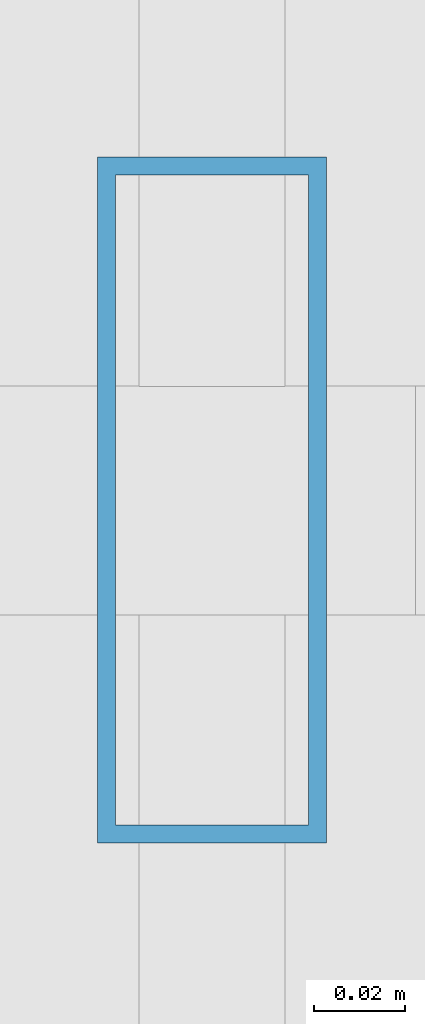
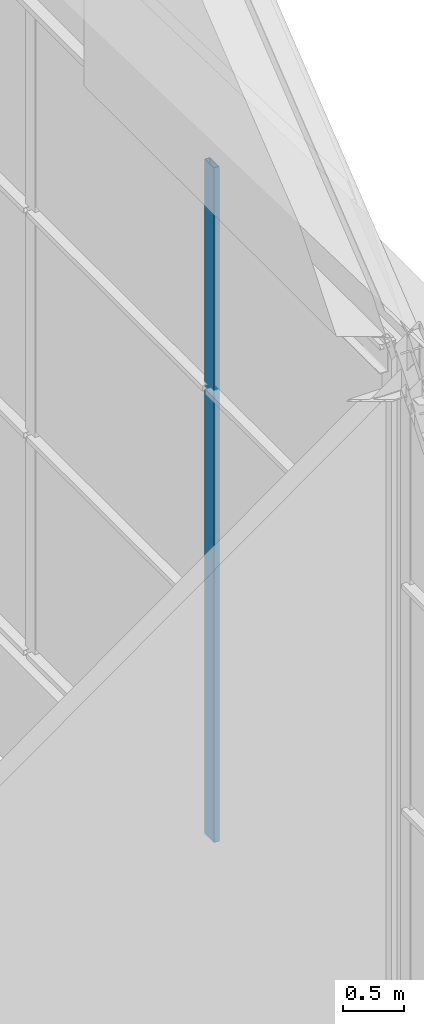
# One storey, part 85 of 144: 1 member, 1 element without a shape of its own.
"""IFC4 building model written with IfcOpenShell, lengths in metres."""

from ifc_helpers import new_model, si_unit, direction, frame, origin, origin_2d, place, context, subcontext, project, spatial, hollow_rectangle, extrude, material, layer, layer_set, material_profile, profile_set, type_object, element, aggregate, save


model = new_model("IFC4")

# Units and contexts
model_context = context("Model", 3, precision=1e-05, world=origin(), true_north=direction((0.0, 1.0)))
body_context = subcontext(model_context, "Body", "Model", "MODEL_VIEW")
ifc_project = project(units=[si_unit("LENGTHUNIT", "METRE"), si_unit("AREAUNIT", "SQUARE_METRE"), si_unit("VOLUMEUNIT", "CUBIC_METRE"), si_unit("PLANEANGLEUNIT", "RADIAN"), si_unit("MASSUNIT", "GRAM", prefix="KILO")], contexts=[model_context])

# Site, building, storey
site_placement = place(None, origin())
site = spatial("IfcSite", under=ifc_project, at=site_placement, CompositionType="ELEMENT")
building_placement = place(site_placement, origin())
building = spatial("IfcBuilding", under=site, at=building_placement, Name="Shorebreak Coast Museum", CompositionType="ELEMENT")
storey_placement = place(building_placement, frame((0.0, 0.0, 36.0)))
storey = spatial("IfcBuildingStorey", under=building, at=storey_placement, Name="L06", CompositionType="ELEMENT", Elevation=36.0)

# Curtain wall, member
ifc_material_1 = material(Name="Aluminium", Category="aluminium")
ifc_layer = layer(ifc_material_1, 0.14990234375)
ifc_layer_set = layer_set([ifc_layer], Name="Aluminium")
curtain_wall_type = type_object("IfcCurtainWallType", Name="Storefront curtain wall", PredefinedType="NOTDEFINED", material=ifc_layer_set)
curtain_wall_placement = place(storey_placement, origin())
curtain_wall = element("IfcCurtainWall", 1, at=curtain_wall_placement, inside=storey, type_object=curtain_wall_type, Name="Atrium Hall glazing L06 E 21", PredefinedType="NOTDEFINED")
ifc_material_2 = material(Name="Aluminium", Category="aluminium")
ifc_material_profile = material_profile(ifc_material_2, hollow_rectangle(XDim=0.050048828125, YDim=0.14990234375, WallThickness=0.00390625, at=origin_2d()), Name="AL 150x50 RHS")
ifc_profile_set = profile_set([ifc_material_profile], Name="Aluminium")
member_type = type_object("IfcMemberType", Name="Storefront mullion 50 x 150", PredefinedType="MULLION", material=ifc_profile_set)
member_placement = place(storey_placement, frame((116.85009765625, 75.037109375, 1.10009765625), z_axis=(0.0, 0.0, 1.0), x_axis=(-1.0, 0.0, 0.0)))
member = element("IfcMember", 2, at=member_placement, type_object=member_type, Name="CW5 mullion 2", PredefinedType="MULLION", context=body_context, shape_type="SweptSolid", body=[
    extrude(hollow_rectangle(XDim=0.050048828125, YDim=0.14990234375, WallThickness=0.00390625, at=origin_2d()), origin(), (0.0, 0.0, 1.0), 6.699951171875),
])
aggregate(curtain_wall, [member])

save(model, "model.ifc")
